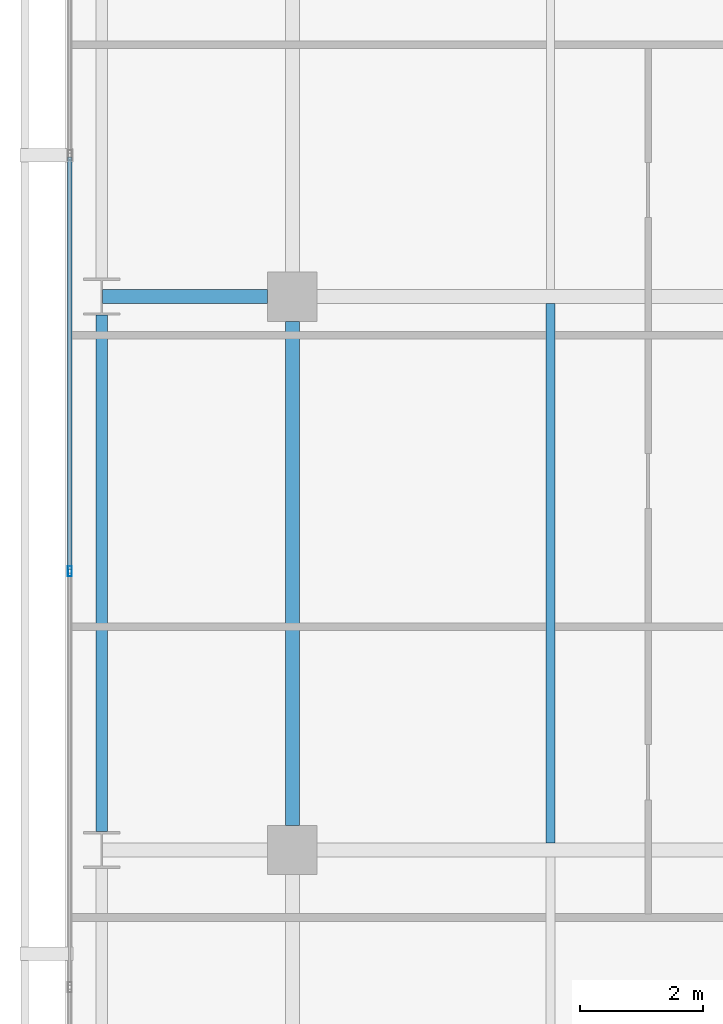
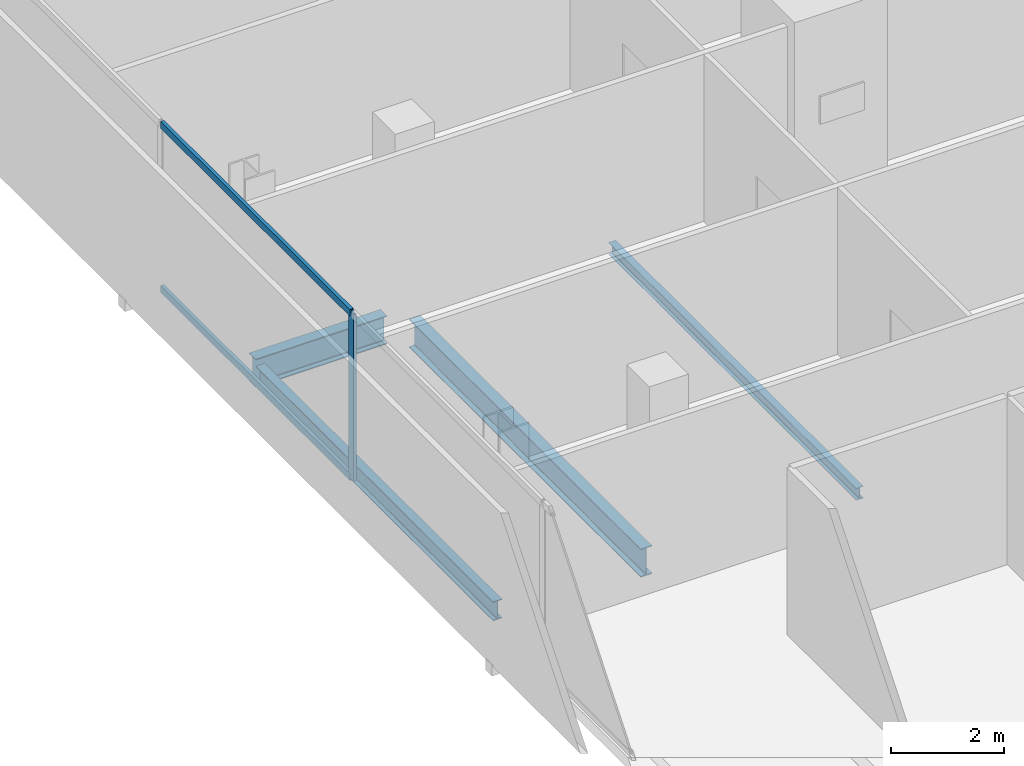
# One storey, part 8 of 34: 4 beams, 3 members, 1 element without a shape of its own.
"""IFC4 building model written with IfcOpenShell, lengths in metres."""

from ifc_helpers import new_model, si_unit, direction, frame, origin, origin_2d, place, context, subcontext, project, spatial, hollow_rectangle, i_section, extrude, material, layer, layer_set, material_profile, profile_set, type_object, element, aggregate, save


model = new_model("IFC4")

# Units and contexts
model_context = context("Model", 3, precision=1e-05, world=origin(), true_north=direction((0.0, 1.0)))
body_context = subcontext(model_context, "Body", "Model", "MODEL_VIEW")
ifc_project = project(units=[si_unit("LENGTHUNIT", "METRE"), si_unit("AREAUNIT", "SQUARE_METRE"), si_unit("VOLUMEUNIT", "CUBIC_METRE"), si_unit("PLANEANGLEUNIT", "RADIAN"), si_unit("MASSUNIT", "GRAM", prefix="KILO")], contexts=[model_context])

# Site, building, storey
site_placement = place(None, origin())
site = spatial("IfcSite", under=ifc_project, at=site_placement, CompositionType="ELEMENT")
building_placement = place(site_placement, origin())
building = spatial("IfcBuilding", under=site, at=building_placement, Name="Maruvema Waterfront Hotel and Observation Tower", CompositionType="ELEMENT")
storey_placement = place(building_placement, frame((0.0, 0.0, 146.64990234375)))
storey = spatial("IfcBuildingStorey", under=building, at=storey_placement, Name="L35", CompositionType="ELEMENT", Elevation=146.64990234375)

# Curtain wall, members
ifc_material_1 = material(Name="Anodised bronze aluminium and solar-control low-E IGU", Category="aluminium")
ifc_layer = layer(ifc_material_1, 0.159912109375, Name="Zone 2 Amber Inner Thermal Curtain Wall System CW-03")
ifc_layer_set = layer_set([ifc_layer], Name="Anodised bronze aluminium and solar-control low-E IGU")
curtain_wall_type = type_object("IfcCurtainWallType", Name="Zone 2 Amber Inner Thermal Curtain Wall System CW-03", PredefinedType="USERDEFINED", material=ifc_layer_set)
curtain_wall_placement = place(storey_placement, origin())
curtain_wall = element("IfcCurtainWall", 1, at=curtain_wall_placement, inside=storey, type_object=curtain_wall_type, Name="L35 Curtain Wall CW-L35-W", ObjectType="UNITISED CURTAIN WALL", PredefinedType="USERDEFINED")
ifc_material_2 = material(Name="Anodised architectural bronze aluminium", Category="aluminium")
ifc_material_profile_1 = material_profile(ifc_material_2, hollow_rectangle(XDim=0.070068359375, YDim=0.14990234375, WallThickness=0.00390625, at=origin_2d()), Name="ALU-T70x150")
ifc_profile_set_1 = profile_set([ifc_material_profile_1], Name="Anodised architectural bronze aluminium")
member_type_1 = type_object("IfcMemberType", Name="Curtain Wall Horizontal Transom ALU-T70x150", PredefinedType="USERDEFINED", material=ifc_profile_set_1)
member_1_placement = place(storey_placement, frame((13.179931640625, 29.27001953125, 0.030029296875), z_axis=(0.0, -1.0, 0.0), x_axis=(1.0, 0.0, 0.0)))
member_1 = element("IfcMember", 2, at=member_1_placement, type_object=member_type_1, Name="CW-03 transom 4.1", ObjectType="TRANSOM", PredefinedType="USERDEFINED", context=body_context, shape_type="SweptSolid", body=[
    extrude(hollow_rectangle(XDim=0.070068359375, YDim=0.14990234375, WallThickness=0.00390625, at=origin_2d()), origin(), (0.0, 0.0, 1.0), 6.706787109375),
])
member_2_placement = place(storey_placement, frame((13.179931640625, 29.27001953125, 3.580078125), z_axis=(0.0, -1.0, 0.0), x_axis=(1.0, 0.0, 0.0)))
member_2 = element("IfcMember", 3, at=member_2_placement, type_object=member_type_1, Name="CW-03 transom 4.2", ObjectType="TRANSOM", PredefinedType="USERDEFINED", context=body_context, shape_type="SweptSolid", body=[
    extrude(hollow_rectangle(XDim=0.070068359375, YDim=0.14990234375, WallThickness=0.00390625, at=origin_2d()), origin(), (0.0, 0.0, 1.0), 6.706787109375),
])
ifc_material_3 = material(Name="Anodised architectural bronze aluminium", Category="aluminium")
ifc_material_profile_2 = material_profile(ifc_material_3, hollow_rectangle(XDim=0.06494140625, YDim=0.1650390625, WallThickness=0.00390625, at=origin_2d()), Name="ALU-M65x165")
ifc_profile_set_2 = profile_set([ifc_material_profile_2], Name="Anodised architectural bronze aluminium")
member_type_2 = type_object("IfcMemberType", Name="Curtain Wall Primary Mullion ALU-M65x165", PredefinedType="MULLION", material=ifc_profile_set_2)
member_3_placement = place(storey_placement, frame((13.179931640625, 22.533447265625, 0.0), z_axis=(0.0, 0.0, 1.0), x_axis=(1.0, 0.0, 0.0)))
member_3 = element("IfcMember", 4, at=member_3_placement, type_object=member_type_2, Name="CW-03 mullion 5", PredefinedType="MULLION", context=body_context, shape_type="SweptSolid", body=[
    extrude(hollow_rectangle(XDim=0.06494140625, YDim=0.1650390625, WallThickness=0.00390625, at=origin_2d()), origin(), (0.0, 0.0, 1.0), 3.610107421875),
])
aggregate(curtain_wall, [member_3, member_1, member_2])

# Beams
ifc_material_4 = material(Name="Steel ASTM A572 Grade 50", Category="steel")
ifc_material_profile_3 = material_profile(ifc_material_4, i_section(OverallWidth=0.180908203125, OverallDepth=0.4169921875, WebThickness=0.010986328125, FlangeThickness=0.018310546875, FilletRadius=0.014892578125, at=origin_2d()), Name="W410x85.0")
ifc_profile_set_3 = profile_set([ifc_material_profile_3], Name="Steel ASTM A572 Grade 50")
beam_type_1 = type_object("IfcBeamType", Name="Perimeter Spandrel Beam W410x85.0", PredefinedType="SPANDREL", material=ifc_profile_set_3)
beam_1_placement = place(storey_placement, frame((13.699951171875, 18.300048828125, -0.448486328125), z_axis=(0.0, 1.0, 0.0), x_axis=(-1.0, 0.0, 0.0)))
element("IfcBeam", 5, at=beam_1_placement, inside=storey, type_object=beam_type_1, Name="L35 Floor Girder NS-02", PredefinedType="SPANDREL", context=body_context, shape_type="SweptSolid", body=[
    extrude(i_section(OverallWidth=0.180908203125, OverallDepth=0.4169921875, WebThickness=0.010986328125, FlangeThickness=0.018310546875, FilletRadius=0.014892578125, at=origin_2d()), origin(), (0.0, 0.0, 1.0), 8.39990234375),
])
ifc_material_5 = material(Name="Steel ASTM A572 Grade 50", Category="steel")
ifc_material_profile_4 = material_profile(ifc_material_5, i_section(OverallWidth=0.22900390625, OverallDepth=0.612060546875, WebThickness=0.011962890625, FlangeThickness=0.01953125, FilletRadius=0.01806640625, at=origin_2d()), Name="W610x125.0")
ifc_profile_set_4 = profile_set([ifc_material_profile_4], Name="Steel ASTM A572 Grade 50")
beam_type_2 = type_object("IfcBeamType", Name="Primary Floor Girder W610x125.0", PredefinedType="BEAM", material=ifc_profile_set_4)
beam_2_placement = place(storey_placement, frame((13.71240234375, 27.0, -0.5458984375), z_axis=(1.0, 0.0, 0.0), x_axis=(0.0, 1.0, 0.0)))
element("IfcBeam", 6, at=beam_2_placement, inside=storey, type_object=beam_type_2, Name="L35 Floor Girder EW-18", PredefinedType="BEAM", context=body_context, shape_type="SweptSolid", body=[
    extrude(i_section(OverallWidth=0.22900390625, OverallDepth=0.612060546875, WebThickness=0.011962890625, FlangeThickness=0.01953125, FilletRadius=0.01806640625, at=origin_2d()), origin(), (0.0, 0.0, 1.0), 2.6875),
])
beam_3_placement = place(storey_placement, frame((16.800048828125, 18.39990234375, -0.5458984375), z_axis=(0.0, 1.0, 0.0), x_axis=(-1.0, 0.0, 0.0)))
element("IfcBeam", 7, at=beam_3_placement, inside=storey, type_object=beam_type_2, Name="L35 Floor Girder NS-06", PredefinedType="BEAM", context=body_context, shape_type="SweptSolid", body=[
    extrude(i_section(OverallWidth=0.22900390625, OverallDepth=0.612060546875, WebThickness=0.011962890625, FlangeThickness=0.01953125, FilletRadius=0.01806640625, at=origin_2d()), origin(), (0.0, 0.0, 1.0), 8.2001953125),
])
ifc_material_6 = material(Name="Steel ASTM A572 Grade 50", Category="steel")
ifc_material_profile_5 = material_profile(ifc_material_6, i_section(OverallWidth=0.14599609375, OverallDepth=0.258056640625, WebThickness=0.006103515625, FlangeThickness=0.009033203125, FilletRadius=0.012939453125, at=origin_2d()), Name="W250x32.7")
ifc_profile_set_5 = profile_set([ifc_material_profile_5], Name="Steel ASTM A572 Grade 50")
beam_type_3 = type_object("IfcBeamType", Name="Secondary Floor Joist W250x32.7", PredefinedType="JOIST", material=ifc_profile_set_5)
beam_4_placement = place(storey_placement, frame((21.0, 18.114501953125, -0.368896484375), z_axis=(0.0, 1.0, 0.0), x_axis=(-1.0, 0.0, 0.0)))
element("IfcBeam", 8, at=beam_4_placement, inside=storey, type_object=beam_type_3, Name="L35 Secondary Floor Joist JS-02", PredefinedType="JOIST", context=body_context, shape_type="SweptSolid", body=[
    extrude(i_section(OverallWidth=0.14599609375, OverallDepth=0.258056640625, WebThickness=0.006103515625, FlangeThickness=0.009033203125, FilletRadius=0.012939453125, at=origin_2d()), origin(), (0.0, 0.0, 1.0), 8.77099609375),
])

save(model, "model.ifc")
